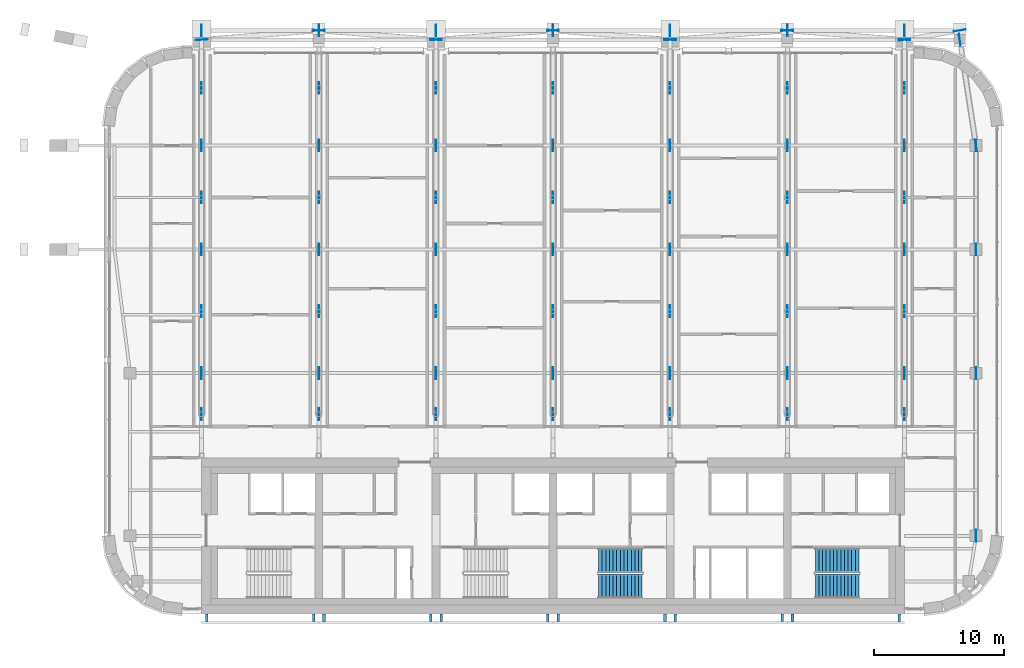
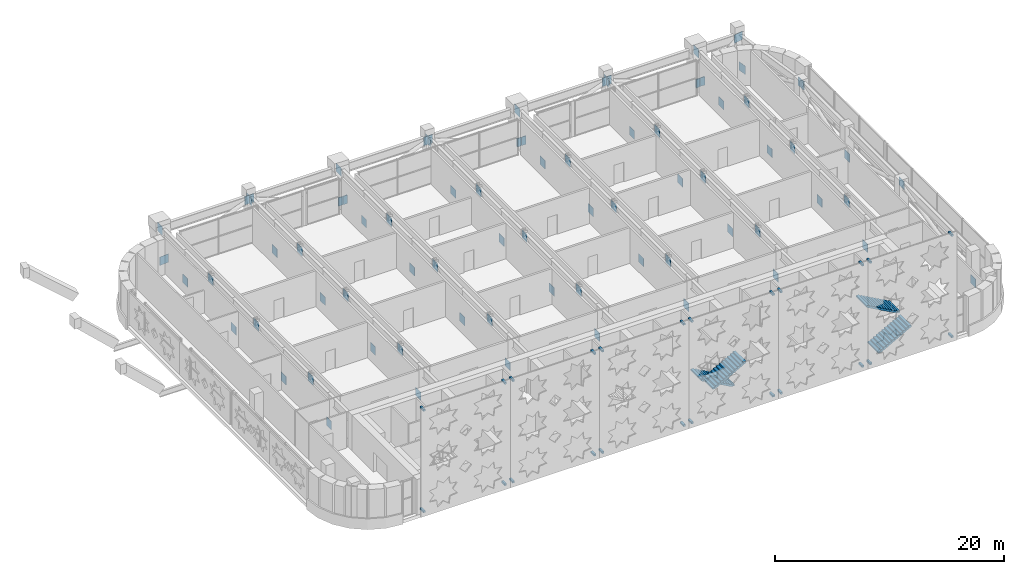
# One storey, part 20 of 26: 100 discrete accessories, 4 stair flights, 2 elements without a shape of their own.
"""IFC4 building model written with IfcOpenShell, lengths in metres."""

from ifc_helpers import new_model, si_unit, direction, frame, origin, origin_2d, place, context, subcontext, project, spatial, polyline, rectangle, outline, extrude, material, type_object, element, aggregate, save


model = new_model("IFC4")

# Units and contexts
model_context = context("Model", 3, precision=1e-05, world=origin(), true_north=direction((0.0, 1.0)))
body_context = subcontext(model_context, "Body", "Model", "MODEL_VIEW")
ifc_project = project(units=[si_unit("LENGTHUNIT", "METRE"), si_unit("AREAUNIT", "SQUARE_METRE"), si_unit("VOLUMEUNIT", "CUBIC_METRE"), si_unit("PLANEANGLEUNIT", "RADIAN"), si_unit("MASSUNIT", "GRAM", prefix="KILO")], contexts=[model_context])

# Site, building, storey
site_placement = place(None, origin())
site = spatial("IfcSite", under=ifc_project, at=site_placement, CompositionType="ELEMENT")
building_placement = place(site_placement, origin())
building = spatial("IfcBuilding", under=site, at=building_placement, Name="Zellij Exchange Tower", CompositionType="ELEMENT")
storey_placement = place(building_placement, frame((0.0, 0.0, 216.5)))
storey = spatial("IfcBuildingStorey", under=building, at=storey_placement, Name="L50", CompositionType="ELEMENT", Elevation=216.5)

# Stair, stair flights
ifc_material_1 = material(Name="Concrete C40/50", Category="concrete")
stair_type = type_object("IfcStairType", Name="CORE-ST exit stair 1850 wide", PredefinedType="HALF_TURN_STAIR", material=ifc_material_1)
stair_1_placement = place(storey_placement, origin())
stair_1 = element("IfcStair", 1, at=stair_1_placement, inside=storey, type_object=stair_type, Name="L50 exit stair ST3", PredefinedType="HALF_TURN_STAIR")
stair_flight_type = type_object("IfcStairFlightType", Name="CORE-SF flight 1850 riser 153.8 going 280", PredefinedType="STRAIGHT", material=ifc_material_1)
stair_flight_1_placement = place(storey_placement, frame((6.85009765625, -9.875, 0.0), z_axis=(0.0, 0.0, 1.0), x_axis=(-1.0, 0.0, 0.0)))
stair_flight_1 = element("IfcStairFlight", 2, at=stair_flight_1_placement, type_object=stair_flight_type, Name="ST3 flight 1", NumberOfRisers=13, NumberOfTreads=12, PredefinedType="STRAIGHT", RiserHeight=0.153846154, TreadLength=0.28, context=body_context, shape_type="SweptSolid", body=[
    extrude(outline(polyline([(0.0, 0.0), (0.0, 0.15380859375), (0.280029296875, 0.15380859375), (0.280029296875, 0.3076171875), (0.56005859375, 0.3076171875), (0.56005859375, 0.46142578125), (0.840087890625, 0.46142578125), (0.840087890625, 0.615478515625), (1.1201171875, 0.615478515625), (1.1201171875, 0.769287109375), (1.39990234375, 0.769287109375), (1.39990234375, 0.923095703125), (1.679931640625, 0.923095703125), (1.679931640625, 1.076904296875), (1.9599609375, 1.076904296875), (1.9599609375, 1.230712890625), (2.239990234375, 1.230712890625), (2.239990234375, 1.384521484375), (2.52001953125, 1.384521484375), (2.52001953125, 1.53857421875), (2.800048828125, 1.53857421875), (2.800048828125, 1.6923828125), (3.080078125, 1.6923828125), (3.080078125, 1.84619140625), (3.360107421875, 1.84619140625), (3.360107421875, 2.0), (3.360107421875, 1.675048828125), (0.311279296875, 0.0), (0.0, 0.0)])), frame((0.0, 0.925048828125, 0.0), z_axis=(0.0, -1.0, 0.0), x_axis=(1.0, 0.0, 0.0)), (0.0, 0.0, 1.0), 1.85009765625),
])
stair_flight_2_placement = place(storey_placement, frame((3.489990234375, -11.875, 2.0), z_axis=(0.0, 0.0, 1.0), x_axis=(1.0, 0.0, 0.0)))
stair_flight_2 = element("IfcStairFlight", 3, at=stair_flight_2_placement, type_object=stair_flight_type, Name="ST3 flight 2", NumberOfRisers=13, NumberOfTreads=12, PredefinedType="STRAIGHT", RiserHeight=0.153846154, TreadLength=0.28, context=body_context, shape_type="SweptSolid", body=[
    extrude(outline(polyline([(0.0, 0.0), (0.0, 0.15380859375), (0.280029296875, 0.15380859375), (0.280029296875, 0.3076171875), (0.56005859375, 0.3076171875), (0.56005859375, 0.46142578125), (0.840087890625, 0.46142578125), (0.840087890625, 0.615478515625), (1.1201171875, 0.615478515625), (1.1201171875, 0.769287109375), (1.39990234375, 0.769287109375), (1.39990234375, 0.923095703125), (1.679931640625, 0.923095703125), (1.679931640625, 1.076904296875), (1.9599609375, 1.076904296875), (1.9599609375, 1.230712890625), (2.239990234375, 1.230712890625), (2.239990234375, 1.384521484375), (2.52001953125, 1.384521484375), (2.52001953125, 1.53857421875), (2.800048828125, 1.53857421875), (2.800048828125, 1.6923828125), (3.080078125, 1.6923828125), (3.080078125, 1.84619140625), (3.360107421875, 1.84619140625), (3.360107421875, 2.0), (3.360107421875, 1.675048828125), (0.311279296875, 0.0), (0.0, 0.0)])), frame((0.0, 0.925048828125, 0.0), z_axis=(0.0, -1.0, 0.0), x_axis=(1.0, 0.0, 0.0)), (0.0, 0.0, 1.0), 1.85009765625),
])
aggregate(stair_1, [stair_flight_1, stair_flight_2])

stair_2_placement = place(storey_placement, origin())
stair_2 = element("IfcStair", 4, at=stair_2_placement, inside=storey, type_object=stair_type, Name="L50 exit stair ST4", PredefinedType="HALF_TURN_STAIR")
stair_flight_3_placement = place(storey_placement, frame((20.14990234375, -11.875, 0.0), z_axis=(0.0, 0.0, 1.0), x_axis=(1.0, 0.0, 0.0)))
stair_flight_3 = element("IfcStairFlight", 5, at=stair_flight_3_placement, type_object=stair_flight_type, Name="ST4 flight 1", NumberOfRisers=13, NumberOfTreads=12, PredefinedType="STRAIGHT", RiserHeight=0.153846154, TreadLength=0.28, context=body_context, shape_type="SweptSolid", body=[
    extrude(outline(polyline([(0.0, 0.0), (0.0, 0.15380859375), (0.280029296875, 0.15380859375), (0.280029296875, 0.3076171875), (0.56005859375, 0.3076171875), (0.56005859375, 0.46142578125), (0.840087890625, 0.46142578125), (0.840087890625, 0.615478515625), (1.1201171875, 0.615478515625), (1.1201171875, 0.769287109375), (1.39990234375, 0.769287109375), (1.39990234375, 0.923095703125), (1.679931640625, 0.923095703125), (1.679931640625, 1.076904296875), (1.9599609375, 1.076904296875), (1.9599609375, 1.230712890625), (2.239990234375, 1.230712890625), (2.239990234375, 1.384521484375), (2.52001953125, 1.384521484375), (2.52001953125, 1.53857421875), (2.800048828125, 1.53857421875), (2.800048828125, 1.6923828125), (3.080078125, 1.6923828125), (3.080078125, 1.84619140625), (3.360107421875, 1.84619140625), (3.360107421875, 2.0), (3.360107421875, 1.675048828125), (0.311279296875, 0.0), (0.0, 0.0)])), frame((0.0, 0.925048828125, 0.0), z_axis=(0.0, -1.0, 0.0), x_axis=(1.0, 0.0, 0.0)), (0.0, 0.0, 1.0), 1.85009765625),
])
stair_flight_4_placement = place(storey_placement, frame((23.510009765625, -9.875, 2.0), z_axis=(0.0, 0.0, 1.0), x_axis=(-1.0, 0.0, 0.0)))
stair_flight_4 = element("IfcStairFlight", 6, at=stair_flight_4_placement, type_object=stair_flight_type, Name="ST4 flight 2", NumberOfRisers=13, NumberOfTreads=12, PredefinedType="STRAIGHT", RiserHeight=0.153846154, TreadLength=0.28, context=body_context, shape_type="SweptSolid", body=[
    extrude(outline(polyline([(0.0, 0.0), (0.0, 0.15380859375), (0.280029296875, 0.15380859375), (0.280029296875, 0.3076171875), (0.56005859375, 0.3076171875), (0.56005859375, 0.46142578125), (0.840087890625, 0.46142578125), (0.840087890625, 0.615478515625), (1.1201171875, 0.615478515625), (1.1201171875, 0.769287109375), (1.39990234375, 0.769287109375), (1.39990234375, 0.923095703125), (1.679931640625, 0.923095703125), (1.679931640625, 1.076904296875), (1.9599609375, 1.076904296875), (1.9599609375, 1.230712890625), (2.239990234375, 1.230712890625), (2.239990234375, 1.384521484375), (2.52001953125, 1.384521484375), (2.52001953125, 1.53857421875), (2.800048828125, 1.53857421875), (2.800048828125, 1.6923828125), (3.080078125, 1.6923828125), (3.080078125, 1.84619140625), (3.360107421875, 1.84619140625), (3.360107421875, 2.0), (3.360107421875, 1.675048828125), (0.311279296875, 0.0), (0.0, 0.0)])), frame((0.0, 0.925048828125, 0.0), z_axis=(0.0, -1.0, 0.0), x_axis=(1.0, 0.0, 0.0)), (0.0, 0.0, 1.0), 1.85009765625),
])
aggregate(stair_2, [stair_flight_3, stair_flight_4])

# Discrete accessories
ifc_material_2 = material(Name="Stainless steel", Category="steel")
discrete_accessory_type = type_object("IfcDiscreteAccessoryType", Name="ENV-BR1 Stone panel bracket 200", PredefinedType="USERDEFINED", material=ifc_material_2)
for number, where, z_axis, x_axis, name in (
    (7, (-26.60009765625, -14.300048828125, 0.5), (0.0, 0.0, 1.0), (1.0, 0.0, 0.0), "Panel bracket"),
    (8, (-26.60009765625, -14.300048828125, 11.2998046875), (0.0, 0.0, 1.0), (1.0, 0.0, 0.0), "Panel bracket"),
    (9, (-18.39990234375, -14.300048828125, 0.5), (0.0, 0.0, 1.0), (1.0, 0.0, 0.0), "Panel bracket"),
    (10, (-18.39990234375, -14.300048828125, 11.2998046875), (0.0, 0.0, 1.0), (1.0, 0.0, 0.0), "Panel bracket"),
    (11, (-17.60009765625, -14.300048828125, 0.5), (0.0, 0.0, 1.0), (1.0, 0.0, 0.0), "Panel bracket"),
    (12, (-17.60009765625, -14.300048828125, 11.2998046875), (0.0, 0.0, 1.0), (1.0, 0.0, 0.0), "Panel bracket"),
    (13, (-9.39990234375, -14.300048828125, 0.5), (0.0, 0.0, 1.0), (1.0, 0.0, 0.0), "Panel bracket"),
    (14, (-9.39990234375, -14.300048828125, 11.2998046875), (0.0, 0.0, 1.0), (1.0, 0.0, 0.0), "Panel bracket"),
    (15, (-8.60009765625, -14.300048828125, 0.5), (0.0, 0.0, 1.0), (1.0, 0.0, 0.0), "Panel bracket"),
    (16, (-8.60009765625, -14.300048828125, 11.2998046875), (0.0, 0.0, 1.0), (1.0, 0.0, 0.0), "Panel bracket"),
    (17, (-0.39990234375, -14.300048828125, 0.5), (0.0, 0.0, 1.0), (1.0, 0.0, 0.0), "Panel bracket"),
    (18, (-0.39990234375, -14.300048828125, 11.2998046875), (0.0, 0.0, 1.0), (1.0, 0.0, 0.0), "Panel bracket"),
    (19, (0.39990234375, -14.300048828125, 0.5), (0.0, 0.0, 1.0), (1.0, 0.0, 0.0), "Panel bracket"),
    (20, (0.39990234375, -14.300048828125, 11.2998046875), (0.0, 0.0, 1.0), (1.0, 0.0, 0.0), "Panel bracket"),
    (21, (8.60009765625, -14.300048828125, 0.5), (0.0, 0.0, 1.0), (1.0, 0.0, 0.0), "Panel bracket"),
    (22, (8.60009765625, -14.300048828125, 11.2998046875), (0.0, 0.0, 1.0), (1.0, 0.0, 0.0), "Panel bracket"),
    (23, (9.39990234375, -14.300048828125, 0.5), (0.0, 0.0, 1.0), (1.0, 0.0, 0.0), "Panel bracket"),
    (24, (9.39990234375, -14.300048828125, 11.2998046875), (0.0, 0.0, 1.0), (1.0, 0.0, 0.0), "Panel bracket"),
    (25, (17.60009765625, -14.300048828125, 0.5), (0.0, 0.0, 1.0), (1.0, 0.0, 0.0), "Panel bracket"),
    (26, (17.60009765625, -14.300048828125, 11.2998046875), (0.0, 0.0, 1.0), (1.0, 0.0, 0.0), "Panel bracket"),
    (27, (18.39990234375, -14.300048828125, 0.5), (0.0, 0.0, 1.0), (1.0, 0.0, 0.0), "Panel bracket"),
    (28, (18.39990234375, -14.300048828125, 11.2998046875), (0.0, 0.0, 1.0), (1.0, 0.0, 0.0), "Panel bracket"),
    (29, (26.60009765625, -14.300048828125, 0.5), (0.0, 0.0, 1.0), (1.0, 0.0, 0.0), "Panel bracket"),
    (30, (26.60009765625, -14.300048828125, 11.2998046875), (0.0, 0.0, 1.0), (1.0, 0.0, 0.0), "Panel bracket"),
):
    element("IfcDiscreteAccessory", number, at=place(storey_placement, frame(where, z_axis=z_axis, x_axis=x_axis)), inside=storey, type_object=discrete_accessory_type, Name=name, ObjectType="BRACKET", PredefinedType="USERDEFINED", context=body_context, shape_type="SweptSolid", body=[
        extrude(rectangle(XDim=0.199951171875, YDim=0.60009765625, at=origin_2d()), origin(), (0.0, 0.0, 1.0), 0.199951171875),
    ])
for number, where, z_axis, x_axis, name in (
    (31, (-27.0, 1.339111328125, 0.03271484375), (0.0, 0.0, 1.0), (0.0, 1.0, 0.0), "Gusset plate"),
    (32, (-27.0, 4.5, 2.867431640625), (0.0, 0.0, 1.0), (0.0, 1.0, 0.0), "Gusset plate"),
    (33, (-27.0, 9.25, 0.03271484375), (0.0, 0.0, 1.0), (0.0, 1.0, 0.0), "Gusset plate"),
    (34, (-27.0, 14.0, 2.867431640625), (0.0, 0.0, 1.0), (0.0, 1.0, 0.0), "Gusset plate"),
    (35, (-27.0, 18.0, 0.03271484375), (0.0, 0.0, 1.0), (0.0, 1.0, 0.0), "Gusset plate"),
    (36, (-27.0, 22.0, 2.867431640625), (0.0, 0.0, 1.0), (0.0, 1.0, 0.0), "Gusset plate"),
    (37, (-27.0, 26.4150390625, 0.03271484375), (0.0, 0.0, 1.0), (0.0, 1.0, 0.0), "Gusset plate"),
    (38, (-27.0, 30.829345703125, 2.867431640625), (0.0, 0.0, 1.0), (0.0, 1.0, 0.0), "Gusset plate"),
    (39, (-18.0, 1.339111328125, 0.03271484375), (0.0, 0.0, 1.0), (0.0, 1.0, 0.0), "Gusset plate"),
    (40, (-18.0, 4.5, 2.867431640625), (0.0, 0.0, 1.0), (0.0, 1.0, 0.0), "Gusset plate"),
    (41, (-18.0, 9.25, 0.03271484375), (0.0, 0.0, 1.0), (0.0, 1.0, 0.0), "Gusset plate"),
    (42, (-18.0, 14.0, 2.867431640625), (0.0, 0.0, 1.0), (0.0, 1.0, 0.0), "Gusset plate"),
    (43, (-18.0, 18.0, 0.03271484375), (0.0, 0.0, 1.0), (0.0, 1.0, 0.0), "Gusset plate"),
    (44, (-18.0, 22.0, 2.867431640625), (0.0, 0.0, 1.0), (0.0, 1.0, 0.0), "Gusset plate"),
    (45, (-18.0, 26.4150390625, 0.03271484375), (0.0, 0.0, 1.0), (0.0, 1.0, 0.0), "Gusset plate"),
    (46, (-18.0, 30.829345703125, 2.867431640625), (0.0, 0.0, 1.0), (0.0, 1.0, 0.0), "Gusset plate"),
    (47, (-9.0, 1.339111328125, 0.03271484375), (0.0, 0.0, 1.0), (0.0, 1.0, 0.0), "Gusset plate"),
    (48, (-9.0, 4.5, 2.867431640625), (0.0, 0.0, 1.0), (0.0, 1.0, 0.0), "Gusset plate"),
    (49, (-9.0, 9.25, 0.03271484375), (0.0, 0.0, 1.0), (0.0, 1.0, 0.0), "Gusset plate"),
    (50, (-9.0, 14.0, 2.867431640625), (0.0, 0.0, 1.0), (0.0, 1.0, 0.0), "Gusset plate"),
    (51, (-9.0, 18.0, 0.03271484375), (0.0, 0.0, 1.0), (0.0, 1.0, 0.0), "Gusset plate"),
    (52, (-9.0, 22.0, 2.867431640625), (0.0, 0.0, 1.0), (0.0, 1.0, 0.0), "Gusset plate"),
    (53, (-9.0, 26.4150390625, 0.03271484375), (0.0, 0.0, 1.0), (0.0, 1.0, 0.0), "Gusset plate"),
    (54, (-9.0, 30.829345703125, 2.867431640625), (0.0, 0.0, 1.0), (0.0, 1.0, 0.0), "Gusset plate"),
    (55, (0.0, 1.339111328125, 0.03271484375), (0.0, 0.0, 1.0), (0.0, 1.0, 0.0), "Gusset plate"),
    (56, (0.0, 4.5, 2.867431640625), (0.0, 0.0, 1.0), (0.0, 1.0, 0.0), "Gusset plate"),
    (57, (0.0, 9.25, 0.03271484375), (0.0, 0.0, 1.0), (0.0, 1.0, 0.0), "Gusset plate"),
    (58, (0.0, 14.0, 2.867431640625), (0.0, 0.0, 1.0), (0.0, 1.0, 0.0), "Gusset plate"),
    (59, (0.0, 18.0, 0.03271484375), (0.0, 0.0, 1.0), (0.0, 1.0, 0.0), "Gusset plate"),
    (60, (0.0, 22.0, 2.867431640625), (0.0, 0.0, 1.0), (0.0, 1.0, 0.0), "Gusset plate"),
    (61, (0.0, 26.4150390625, 0.03271484375), (0.0, 0.0, 1.0), (0.0, 1.0, 0.0), "Gusset plate"),
    (62, (0.0, 30.829345703125, 2.867431640625), (0.0, 0.0, 1.0), (0.0, 1.0, 0.0), "Gusset plate"),
    (63, (9.0, 1.339111328125, 0.03271484375), (0.0, 0.0, 1.0), (0.0, 1.0, 0.0), "Gusset plate"),
    (64, (9.0, 4.5, 2.867431640625), (0.0, 0.0, 1.0), (0.0, 1.0, 0.0), "Gusset plate"),
    (65, (9.0, 9.25, 0.03271484375), (0.0, 0.0, 1.0), (0.0, 1.0, 0.0), "Gusset plate"),
    (66, (9.0, 14.0, 2.867431640625), (0.0, 0.0, 1.0), (0.0, 1.0, 0.0), "Gusset plate"),
    (67, (9.0, 18.0, 0.03271484375), (0.0, 0.0, 1.0), (0.0, 1.0, 0.0), "Gusset plate"),
    (68, (9.0, 22.0, 2.867431640625), (0.0, 0.0, 1.0), (0.0, 1.0, 0.0), "Gusset plate"),
    (69, (9.0, 26.4150390625, 0.03271484375), (0.0, 0.0, 1.0), (0.0, 1.0, 0.0), "Gusset plate"),
    (70, (9.0, 30.829345703125, 2.867431640625), (0.0, 0.0, 1.0), (0.0, 1.0, 0.0), "Gusset plate"),
    (71, (18.0, 1.339111328125, 0.03271484375), (0.0, 0.0, 1.0), (0.0, 1.0, 0.0), "Gusset plate"),
    (72, (18.0, 4.5, 2.867431640625), (0.0, 0.0, 1.0), (0.0, 1.0, 0.0), "Gusset plate"),
    (73, (18.0, 9.25, 0.03271484375), (0.0, 0.0, 1.0), (0.0, 1.0, 0.0), "Gusset plate"),
    (74, (18.0, 14.0, 2.867431640625), (0.0, 0.0, 1.0), (0.0, 1.0, 0.0), "Gusset plate"),
    (75, (18.0, 18.0, 0.03271484375), (0.0, 0.0, 1.0), (0.0, 1.0, 0.0), "Gusset plate"),
    (76, (18.0, 22.0, 2.867431640625), (0.0, 0.0, 1.0), (0.0, 1.0, 0.0), "Gusset plate"),
    (77, (18.0, 26.4150390625, 0.03271484375), (0.0, 0.0, 1.0), (0.0, 1.0, 0.0), "Gusset plate"),
    (78, (18.0, 30.829345703125, 2.867431640625), (0.0, 0.0, 1.0), (0.0, 1.0, 0.0), "Gusset plate"),
    (79, (27.0, 1.339111328125, 0.03271484375), (0.0, 0.0, 1.0), (0.0, 1.0, 0.0), "Gusset plate"),
    (80, (27.0, 4.5, 2.867431640625), (0.0, 0.0, 1.0), (0.0, 1.0, 0.0), "Gusset plate"),
    (81, (27.0, 9.25, 0.03271484375), (0.0, 0.0, 1.0), (0.0, 1.0, 0.0), "Gusset plate"),
    (82, (27.0, 14.0, 2.867431640625), (0.0, 0.0, 1.0), (0.0, 1.0, 0.0), "Gusset plate"),
    (83, (27.0, 18.0, 0.03271484375), (0.0, 0.0, 1.0), (0.0, 1.0, 0.0), "Gusset plate"),
    (84, (27.0, 22.0, 2.867431640625), (0.0, 0.0, 1.0), (0.0, 1.0, 0.0), "Gusset plate"),
    (85, (27.0, 26.4150390625, 0.03271484375), (0.0, 0.0, 1.0), (0.0, 1.0, 0.0), "Gusset plate"),
    (86, (27.0, 30.829345703125, 2.867431640625), (0.0, 0.0, 1.0), (0.0, 1.0, 0.0), "Gusset plate"),
    (87, (32.5, -8.0, 0.021240234375), (0.0, 0.0, 1.0), (0.0, 1.0, 0.0), "Gusset plate"),
    (88, (32.5, 4.5, 2.87890625), (0.0, 0.0, 1.0), (0.0, 1.0, 0.0), "Gusset plate"),
    (89, (32.5, 14.0, 0.021240234375), (0.0, 0.0, 1.0), (0.0, 1.0, 0.0), "Gusset plate"),
    (90, (32.5, 22.0, 2.87890625), (0.0, 0.0, 1.0), (0.0, 1.0, 0.0), "Gusset plate"),
    (91, (32.5, 22.0, 2.87890625), (0.0, 0.0, 1.0), (-0.152188936473, 0.988351419089, 0.0), "Gusset plate"),
    (92, (31.25, 30.117919921875, 0.021240234375), (0.0, 0.0, 1.0), (-0.152188936473, 0.988351419089, 0.0), "Gusset plate"),
    (93, (-27.0, 30.117919921875, 0.021240234375), (0.0, 0.0, 1.0), (0.996864387946, 0.079128958324, 0.0), "Gusset plate"),
    (94, (-18.0, 30.832275390625, 2.87890625), (0.0, 0.0, 1.0), (0.996864387946, 0.079128958324, 0.0), "Gusset plate"),
    (95, (-18.0, 30.832275390625, 2.87890625), (0.0, 0.0, 1.0), (0.996864387946, -0.079128958324, 0.0), "Gusset plate"),
    (96, (-9.0, 30.117919921875, 0.021240234375), (0.0, 0.0, 1.0), (0.996864387946, -0.079128958324, 0.0), "Gusset plate"),
    (97, (-9.0, 30.117919921875, 0.021240234375), (0.0, 0.0, 1.0), (0.996864387946, 0.079128958324, 0.0), "Gusset plate"),
    (98, (0.0, 30.832275390625, 2.87890625), (0.0, 0.0, 1.0), (0.996864387946, 0.079128958324, 0.0), "Gusset plate"),
    (99, (0.0, 30.832275390625, 2.87890625), (0.0, 0.0, 1.0), (0.996864387946, -0.079128958324, 0.0), "Gusset plate"),
    (100, (9.0, 30.117919921875, 0.021240234375), (0.0, 0.0, 1.0), (0.996864387946, -0.079128958324, 0.0), "Gusset plate"),
    (101, (9.0, 30.117919921875, 0.021240234375), (0.0, 0.0, 1.0), (0.996864387946, 0.079128958324, 0.0), "Gusset plate"),
    (102, (18.0, 30.832275390625, 2.87890625), (0.0, 0.0, 1.0), (0.996864387946, 0.079128958324, 0.0), "Gusset plate"),
    (103, (18.0, 30.832275390625, 2.87890625), (0.0, 0.0, 1.0), (0.996864387946, -0.079128958324, 0.0), "Gusset plate"),
    (104, (27.0, 30.117919921875, 0.021240234375), (0.0, 0.0, 1.0), (0.996864387946, -0.079128958324, 0.0), "Gusset plate"),
    (105, (27.0, 30.117919921875, 0.021240234375), (0.0, 0.0, 1.0), (0.986164639669, 0.165768825377, 0.0), "Gusset plate"),
    (106, (31.25, 30.832275390625, 2.87890625), (0.0, 0.0, 1.0), (0.986164639669, 0.165768825377, 0.0), "Gusset plate"),
):
    element("IfcDiscreteAccessory", number, at=place(storey_placement, frame(where, z_axis=z_axis, x_axis=x_axis)), inside=storey, Name=name, PredefinedType="BRACKET", context=body_context, shape_type="SweptSolid", body=[
        extrude(rectangle(XDim=0.89990234375, YDim=0.030029296875, at=origin_2d()), origin(), (0.0, 0.0, 1.0), 0.89990234375),
    ])

save(model, "model.ifc")
